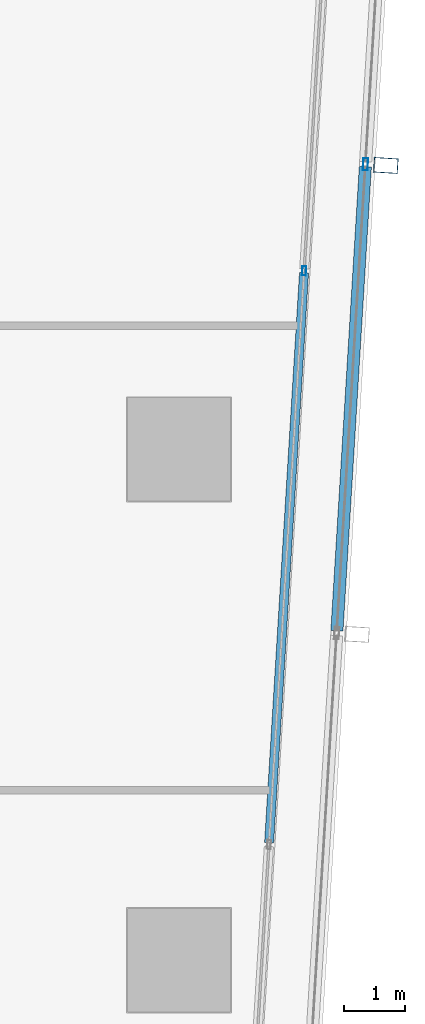
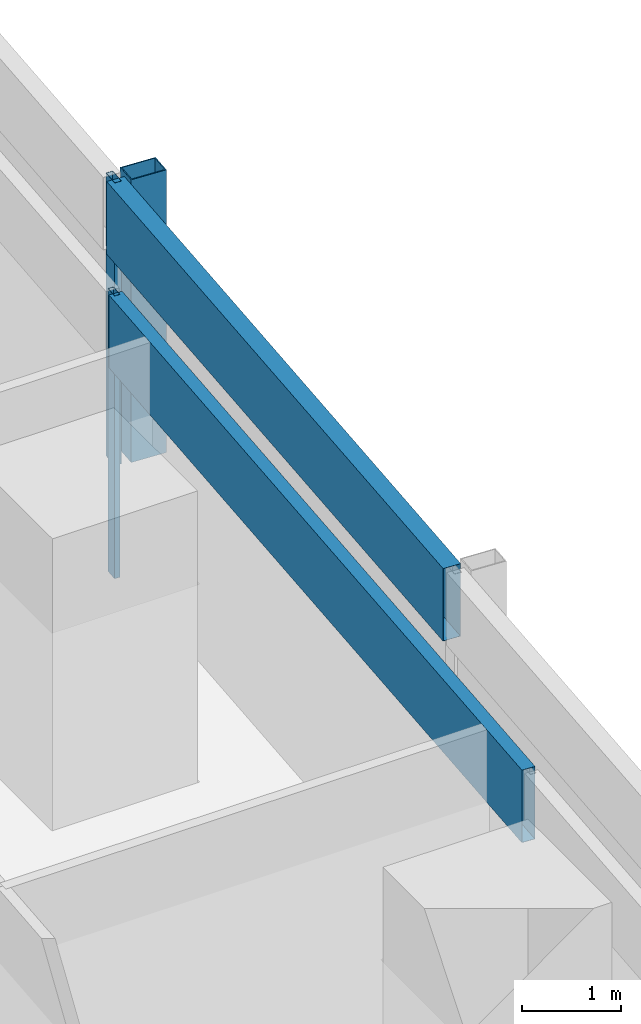
# One storey, part 24 of 40: 5 members, 2 elements without a shape of their own.
"""IFC4 building model written with IfcOpenShell, lengths in metres."""

from ifc_helpers import new_model, si_unit, direction, frame, origin, origin_2d, place, context, subcontext, project, spatial, hollow_rectangle, extrude, material, material_profile, profile_set, type_object, element, aggregate, save


model = new_model("IFC4")

# Units and contexts
model_context = context("Model", 3, precision=1e-05, world=origin(), true_north=direction((0.0, 1.0)))
body_context = subcontext(model_context, "Body", "Model", "MODEL_VIEW")
ifc_project = project(units=[si_unit("LENGTHUNIT", "METRE"), si_unit("AREAUNIT", "SQUARE_METRE"), si_unit("VOLUMEUNIT", "CUBIC_METRE"), si_unit("PLANEANGLEUNIT", "RADIAN"), si_unit("MASSUNIT", "GRAM", prefix="KILO")], contexts=[model_context])

# Site, building, storey
site_placement = place(None, origin())
site = spatial("IfcSite", under=ifc_project, at=site_placement, CompositionType="ELEMENT")
building_placement = place(site_placement, origin())
building = spatial("IfcBuilding", under=site, at=building_placement, Name="Rekha Terrace Tower", CompositionType="ELEMENT")
storey_placement = place(building_placement, frame((0.0, 0.0, 140.300048828125)))
storey = spatial("IfcBuildingStorey", under=building, at=storey_placement, Name="L35", CompositionType="ELEMENT", Elevation=140.300048828125)

# Curtain wall, member
ifc_material_1 = material(Name="Aluminium framing", Category="aluminium")
curtain_wall_type_1 = type_object("IfcCurtainWallType", Name="CW2 double skin outer glazing", PredefinedType="USERDEFINED", material=ifc_material_1)
curtain_wall_1_placement = place(storey_placement, origin())
curtain_wall_1 = element("IfcCurtainWall", 1, at=curtain_wall_1_placement, inside=storey, type_object=curtain_wall_type_1, Name="CW2 double skin outer glazing", ObjectType="DOUBLE SKIN OUTER GLAZING", PredefinedType="USERDEFINED")
ifc_material_2 = material(Name="Steel S355 with fluorocarbon finish", Category="steel")
ifc_material_profile_1 = material_profile(ifc_material_2, hollow_rectangle(XDim=0.25, YDim=0.39990234375, WallThickness=0.012451171875, at=origin_2d()), Name="RHS400x250x12.5")
ifc_profile_set_1 = profile_set([ifc_material_profile_1], Name="Steel S355 with fluorocarbon finish")
member_type_1 = type_object("IfcMemberType", Name="BL1 facade blade RHS 400 x 250", PredefinedType="USERDEFINED", material=ifc_profile_set_1)
member_1_placement = place(storey_placement, frame((70.601318359375, 38.27001953125, 0.0), z_axis=(0.0, 0.0, 1.0), x_axis=(0.061160031881, 0.998127973008, 0.0)))
member_1 = element("IfcMember", 2, at=member_1_placement, type_object=member_type_1, Name="Facade blade", ObjectType="FACADE BLADE", PredefinedType="USERDEFINED", context=body_context, shape_type="SweptSolid", body=[
    extrude(hollow_rectangle(XDim=0.25, YDim=0.39990234375, WallThickness=0.012451171875, at=origin_2d()), origin(), (0.0, 0.0, 1.0), 3.5),
])

# Curtain wall, members
curtain_wall_type_2 = type_object("IfcCurtainWallType", Name="CW1 double skin inner glazing", PredefinedType="USERDEFINED", material=ifc_material_1)
curtain_wall_2_placement = place(storey_placement, origin())
curtain_wall_2 = element("IfcCurtainWall", 3, at=curtain_wall_2_placement, inside=storey, type_object=curtain_wall_type_2, Name="CW1 double skin inner glazing", ObjectType="DOUBLE SKIN INNER GLAZING", PredefinedType="USERDEFINED")
ifc_material_3 = material(Name="Aluminium mullion section", Category="aluminium")
ifc_material_profile_2 = material_profile(ifc_material_3, hollow_rectangle(XDim=0.06494140625, YDim=0.14990234375, WallThickness=0.00390625, at=origin_2d()), Name="AL RHS 65x150")
ifc_profile_set_2 = profile_set([ifc_material_profile_2], Name="Aluminium mullion section")
member_type_2 = type_object("IfcMemberType", Name="CW1 mullion RHS 65 x 150", PredefinedType="MULLION", material=ifc_profile_set_2)
member_2_placement = place(storey_placement, frame((69.257568359375, 36.53662109375, 0.0), z_axis=(0.0, 0.0, 1.0), x_axis=(-0.998127987024, 0.061159803131, 0.0)))
member_2 = element("IfcMember", 4, at=member_2_placement, type_object=member_type_2, Name="CW1 mullion 3", PredefinedType="MULLION", context=body_context, shape_type="SweptSolid", body=[
    extrude(hollow_rectangle(XDim=0.06494140625, YDim=0.14990234375, WallThickness=0.00390625, at=origin_2d()), origin(), (0.0, 0.0, 1.0), 3.5),
])
ifc_material_4 = material(Name="Insulated aluminium spandrel box", Category="aluminium")
ifc_material_profile_3 = material_profile(ifc_material_4, hollow_rectangle(XDim=0.14990234375, YDim=0.89990234375, WallThickness=0.0029296875, at=origin_2d()), Name="AL SPANDREL BOX 150x900")
ifc_profile_set_3 = profile_set([ifc_material_profile_3], Name="Insulated aluminium spandrel box")
member_type_3 = type_object("IfcMemberType", Name="CW1 spandrel transom 150 x 900", PredefinedType="USERDEFINED", material=ifc_profile_set_3)
member_3_placement = place(storey_placement, frame((68.681640625, 27.13427734375, 3.050048828125), z_axis=(0.061141260248, 0.998129123057, 0.0), x_axis=(-0.998129123057, 0.061141260248, 0.0)))
member_3 = element("IfcMember", 5, at=member_3_placement, type_object=member_type_3, Name="CW1 spandrel transom 2", ObjectType="TRANSOM", PredefinedType="USERDEFINED", context=body_context, shape_type="SweptSolid", body=[
    extrude(hollow_rectangle(XDim=0.14990234375, YDim=0.89990234375, WallThickness=0.0029296875, at=origin_2d()), origin(), (0.0, 0.0, 1.0), 9.3876953125),
])
aggregate(curtain_wall_2, [member_2, member_3])

# Member
ifc_material_profile_4 = material_profile(ifc_material_3, hollow_rectangle(XDim=0.080078125, YDim=0.199951171875, WallThickness=0.00390625, at=origin_2d()), Name="AL RHS 80x200")
ifc_profile_set_4 = profile_set([ifc_material_profile_4], Name="Aluminium mullion section")
member_type_4 = type_object("IfcMemberType", Name="CW2 mullion RHS 80 x 200", PredefinedType="MULLION", material=ifc_profile_set_4)
member_4_placement = place(storey_placement, frame((70.266845703125, 38.29052734375, 0.0), z_axis=(0.0, 0.0, 1.0), x_axis=(-0.998127987024, 0.061159803131, 0.0)))
member_4 = element("IfcMember", 6, at=member_4_placement, type_object=member_type_4, Name="CW2 mullion 4", PredefinedType="MULLION", context=body_context, shape_type="SweptSolid", body=[
    extrude(hollow_rectangle(XDim=0.080078125, YDim=0.199951171875, WallThickness=0.00390625, at=origin_2d()), origin(), (0.0, 0.0, 1.0), 3.5),
])

ifc_material_profile_5 = material_profile(ifc_material_4, hollow_rectangle(XDim=0.199951171875, YDim=0.89990234375, WallThickness=0.0029296875, at=origin_2d()), Name="AL SPANDREL BOX 200x900")
ifc_profile_set_5 = profile_set([ifc_material_profile_5], Name="Insulated aluminium spandrel box")
member_type_5 = type_object("IfcMemberType", Name="CW2 spandrel transom 200 x 900", PredefinedType="USERDEFINED", material=ifc_profile_set_5)
member_5_placement = place(storey_placement, frame((69.796630859375, 30.618408203125, 3.050048828125), z_axis=(0.061175629852, 0.998127017124, 0.0), x_axis=(-0.998127017124, 0.061175629852, 0.0)))
member_5 = element("IfcMember", 7, at=member_5_placement, type_object=member_type_5, Name="CW2 spandrel transom 3", ObjectType="TRANSOM", PredefinedType="USERDEFINED", context=body_context, shape_type="SweptSolid", body=[
    extrude(hollow_rectangle(XDim=0.199951171875, YDim=0.89990234375, WallThickness=0.0029296875, at=origin_2d()), origin(), (0.0, 0.0, 1.0), 7.646484375),
])

aggregate(curtain_wall_1, [member_4, member_5, member_1])

save(model, "model.ifc")
